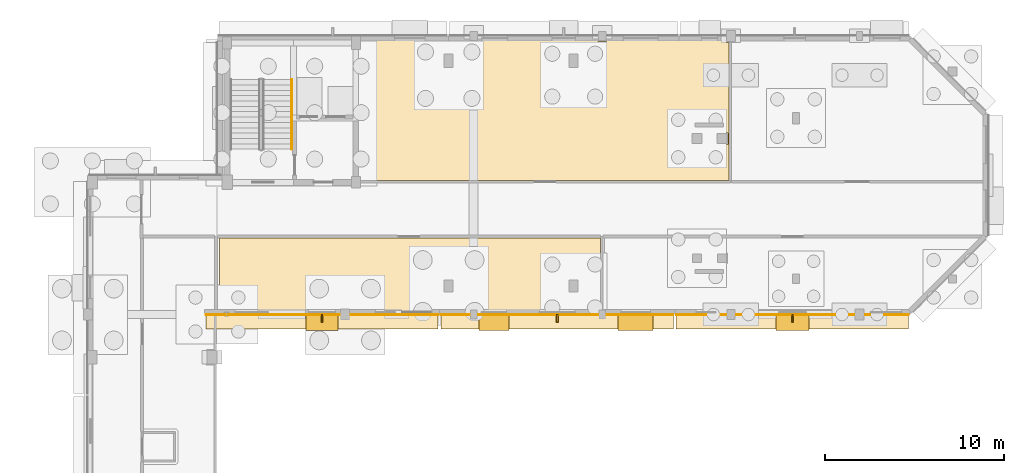
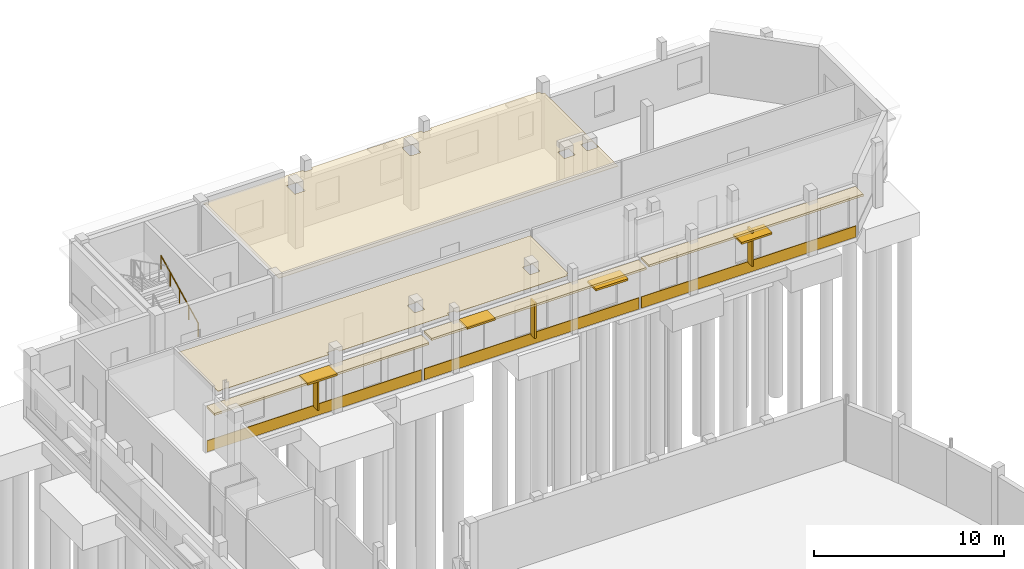
# One storey, part 91 of 93: 8 coverings, 7 shading devices, 1 railing.
"""IFC4 building model written with IfcOpenShell, lengths in metres."""

from ifc_helpers import new_model, si_unit, direction, frame, origin, origin_2d, place, context, subcontext, project, spatial, polyline, rectangle, circle, outline, extrude, material, layer, layer_set, type_object, element, save


model = new_model("IFC4")

# Units and contexts
model_context = context("Model", 3, precision=1e-05, world=origin(), true_north=direction((0.0, 1.0)))
body_context = subcontext(model_context, "Body", "Model", "MODEL_VIEW")
ifc_project = project(units=[si_unit("LENGTHUNIT", "METRE"), si_unit("AREAUNIT", "SQUARE_METRE"), si_unit("VOLUMEUNIT", "CUBIC_METRE"), si_unit("PLANEANGLEUNIT", "RADIAN"), si_unit("MASSUNIT", "GRAM", prefix="KILO")], contexts=[model_context])

# Site, building, storey
site_placement = place(None, origin())
site = spatial("IfcSite", under=ifc_project, at=site_placement, CompositionType="ELEMENT")
building_placement = place(site_placement, origin())
building = spatial("IfcBuilding", under=site, at=building_placement, Name="Kelanivale Promenade Academy", CompositionType="ELEMENT")
storey_placement = place(building_placement, origin())
storey = spatial("IfcBuildingStorey", under=building, at=storey_placement, Name="L00", CompositionType="ELEMENT", Elevation=0.0)

# Coverings
ifc_material_1 = material(Name="Warm ivory Art Deco stucco frieze band 40 mm", Category="masonry")
ifc_layer_1 = layer(ifc_material_1, 0.0400390625)
ifc_layer_set_1 = layer_set([ifc_layer_1], Name="Warm ivory Art Deco stucco frieze band 40 mm")
covering_type_1 = type_object("IfcCoveringType", Name="COV-CLD2 Warm ivory Art Deco stucco frieze ba", PredefinedType="CLADDING", material=ifc_layer_set_1)
covering_1_placement = place(storey_placement, frame((128.705078125, 96.0, 2.85498046875), z_axis=(0.0, 0.0, 1.0), x_axis=(1.0, 0.0, 0.0)))
element("IfcCovering", 1, at=covering_1_placement, inside=storey, type_object=covering_type_1, Name="Art Deco projecting 820 mm streamline sunshade eyebrow ledge", PredefinedType="CLADDING", context=body_context, shape_type="SweptSolid", body=[
    extrude(rectangle(XDim=13.010009765625, YDim=0.820068359375, at=origin_2d()), origin(), (0.0, 0.0, 1.0), 0.139892578125),
])
covering_2_placement = place(storey_placement, frame((128.705078125, 96.385009765625, 0.06005859375), z_axis=(0.0, 0.0, 1.0), x_axis=(1.0, 0.0, 0.0)))
element("IfcCovering", 2, at=covering_2_placement, inside=storey, type_object=covering_type_1, Name="Art Deco ivory stucco sill frieze band", PredefinedType="CLADDING", context=body_context, shape_type="SweptSolid", body=[
    extrude(rectangle(XDim=13.010009765625, YDim=0.0400390625, at=origin_2d()), origin(), (0.0, 0.0, 1.0), 0.719970703125),
])
covering_3_placement = place(storey_placement, frame((141.875, 96.0, 3.05517578125), z_axis=(0.0, 0.0, 1.0), x_axis=(1.0, 0.0, 0.0)))
element("IfcCovering", 3, at=covering_3_placement, inside=storey, type_object=covering_type_1, Name="Art Deco projecting 820 mm streamline sunshade eyebrow ledge", PredefinedType="CLADDING", context=body_context, shape_type="SweptSolid", body=[
    extrude(rectangle(XDim=13.010009765625, YDim=0.820068359375, at=origin_2d()), origin(), (0.0, 0.0, 1.0), 0.139892578125),
])
covering_4_placement = place(storey_placement, frame((141.875, 96.385009765625, 0.06005859375), z_axis=(0.0, 0.0, 1.0), x_axis=(1.0, 0.0, 0.0)))
element("IfcCovering", 4, at=covering_4_placement, inside=storey, type_object=covering_type_1, Name="Art Deco ivory stucco sill frieze band", PredefinedType="CLADDING", context=body_context, shape_type="SweptSolid", body=[
    extrude(rectangle(XDim=13.010009765625, YDim=0.0400390625, at=origin_2d()), origin(), (0.0, 0.0, 1.0), 0.719970703125),
])
covering_5_placement = place(storey_placement, frame((155.044921875, 96.0, 3.1552734375), z_axis=(0.0, 0.0, 1.0), x_axis=(1.0, 0.0, 0.0)))
element("IfcCovering", 5, at=covering_5_placement, inside=storey, type_object=covering_type_1, Name="Art Deco projecting 820 mm streamline sunshade eyebrow ledge", PredefinedType="CLADDING", context=body_context, shape_type="SweptSolid", body=[
    extrude(rectangle(XDim=13.010009765625, YDim=0.820068359375, at=origin_2d()), origin(), (0.0, 0.0, 1.0), 0.139892578125),
])
covering_6_placement = place(storey_placement, frame((155.044921875, 96.385009765625, 0.06005859375), z_axis=(0.0, 0.0, 1.0), x_axis=(1.0, 0.0, 0.0)))
element("IfcCovering", 6, at=covering_6_placement, inside=storey, type_object=covering_type_1, Name="Art Deco ivory stucco sill frieze band", PredefinedType="CLADDING", context=body_context, shape_type="SweptSolid", body=[
    extrude(rectangle(XDim=13.010009765625, YDim=0.0400390625, at=origin_2d()), origin(), (0.0, 0.0, 1.0), 0.719970703125),
])
ifc_material_2 = material(Name="Acoustic mineral-fibre ceiling tile 25 mm", Category="gypsum")
ifc_layer_2 = layer(ifc_material_2, 0.02490234375)
ifc_layer_set_2 = layer_set([ifc_layer_2], Name="Acoustic mineral-fibre ceiling tile 25 mm")
covering_type_2 = type_object("IfcCoveringType", Name="COV-CLG1 Acoustic mineral-fibre ceiling tile ", PredefinedType="CEILING", material=ifc_layer_set_2)
covering_7_placement = place(storey_placement, frame((0.0, 0.0, 3.550048828125)))
element("IfcCovering", 7, at=covering_7_placement, inside=storey, type_object=covering_type_2, Name="Physics Laboratory 1 acoustic suspended ceiling", PredefinedType="CEILING", context=body_context, shape_type="SweptSolid", body=[
    extrude(outline(polyline([(122.9599609375, 96.550048828125), (123.1630859375, 96.550048828125), (123.1630859375, 96.551025390625), (123.1630859375, 96.554931640625), (123.1640625, 96.55908203125), (123.166015625, 96.56201171875), (123.1669921875, 96.56591796875), (123.1689453125, 96.569091796875), (123.172119140625, 96.572021484375), (123.174072265625, 96.574951171875), (123.177001953125, 96.577880859375), (123.179931640625, 96.580078125), (123.18408203125, 96.58203125), (123.18701171875, 96.583984375), (123.19091796875, 96.5849609375), (123.195068359375, 96.5859375), (123.198974609375, 96.5869140625), (123.202880859375, 96.5869140625), (123.4970703125, 96.5869140625), (123.5009765625, 96.5869140625), (123.5048828125, 96.5859375), (123.509033203125, 96.5849609375), (123.512939453125, 96.583984375), (123.51611328125, 96.58203125), (123.52001953125, 96.580078125), (123.52294921875, 96.577880859375), (123.52587890625, 96.574951171875), (123.528076171875, 96.572021484375), (123.531005859375, 96.569091796875), (123.532958984375, 96.56591796875), (123.533935546875, 96.56201171875), (123.535888671875, 96.55908203125), (123.537109375, 96.554931640625), (123.537109375, 96.551025390625), (123.537109375, 96.550048828125), (129.68994140625, 96.550048828125), (129.68994140625, 96.719970703125), (129.68994140625, 96.72412109375), (129.69091796875, 96.72802734375), (129.69189453125, 96.73193359375), (129.693115234375, 96.735107421875), (129.695068359375, 96.739013671875), (129.697021484375, 96.741943359375), (129.698974609375, 96.7451171875), (129.701904296875, 96.748046875), (129.705078125, 96.7509765625), (129.7080078125, 96.7529296875), (129.7109375, 96.7548828125), (129.715087890625, 96.757080078125), (129.718017578125, 96.758056640625), (129.721923828125, 96.759033203125), (129.72607421875, 96.760009765625), (129.72998046875, 96.760009765625), (130.27001953125, 96.760009765625), (130.27392578125, 96.760009765625), (130.278076171875, 96.759033203125), (130.281982421875, 96.758056640625), (130.284912109375, 96.757080078125), (130.2890625, 96.7548828125), (130.2919921875, 96.7529296875), (130.294921875, 96.7509765625), (130.298095703125, 96.748046875), (130.301025390625, 96.7451171875), (130.302978515625, 96.741943359375), (130.304931640625, 96.739013671875), (130.306884765625, 96.735107421875), (130.30810546875, 96.73193359375), (130.30908203125, 96.72802734375), (130.31005859375, 96.72412109375), (130.31005859375, 96.719970703125), (130.31005859375, 96.550048828125), (136.965087890625, 96.550048828125), (136.965087890625, 96.669921875), (136.965087890625, 96.674072265625), (136.966064453125, 96.677978515625), (136.967041015625, 96.681884765625), (136.968017578125, 96.68505859375), (136.969970703125, 96.68896484375), (136.971923828125, 96.69189453125), (136.97412109375, 96.695068359375), (136.97705078125, 96.697998046875), (136.97998046875, 96.700927734375), (136.98291015625, 96.702880859375), (136.986083984375, 96.705078125), (136.989990234375, 96.70703125), (136.992919921875, 96.7080078125), (136.9970703125, 96.708984375), (137.0009765625, 96.7099609375), (137.0048828125, 96.7099609375), (137.39501953125, 96.7099609375), (137.39892578125, 96.7099609375), (137.403076171875, 96.708984375), (137.406982421875, 96.7080078125), (137.409912109375, 96.70703125), (137.4140625, 96.705078125), (137.4169921875, 96.702880859375), (137.419921875, 96.700927734375), (137.423095703125, 96.697998046875), (137.426025390625, 96.695068359375), (137.427978515625, 96.69189453125), (137.429931640625, 96.68896484375), (137.431884765625, 96.68505859375), (137.43310546875, 96.681884765625), (137.43408203125, 96.677978515625), (137.43505859375, 96.674072265625), (137.43505859375, 96.669921875), (137.43505859375, 96.550048828125), (144.1650390625, 96.550048828125), (144.1650390625, 96.669921875), (144.1650390625, 96.674072265625), (144.166015625, 96.677978515625), (144.1669921875, 96.681884765625), (144.16796875, 96.68505859375), (144.169921875, 96.68896484375), (144.172119140625, 96.69189453125), (144.174072265625, 96.695068359375), (144.177001953125, 96.697998046875), (144.179931640625, 96.700927734375), (144.18310546875, 96.702880859375), (144.18603515625, 96.705078125), (144.18994140625, 96.70703125), (144.193115234375, 96.7080078125), (144.197021484375, 96.708984375), (144.200927734375, 96.7099609375), (144.205078125, 96.7099609375), (144.2900390625, 96.7099609375), (144.2900390625, 100.68994140625), (122.9599609375, 100.68994140625), (122.9599609375, 96.550048828125)]), holes=[polyline([(143.110107421875, 97.655029296875), (143.110107421875, 97.65087890625), (143.10888671875, 97.64697265625), (143.10791015625, 97.64306640625), (143.10693359375, 97.639892578125), (143.10498046875, 97.635986328125), (143.10302734375, 97.633056640625), (143.10107421875, 97.6298828125), (143.097900390625, 97.626953125), (143.094970703125, 97.6240234375), (143.092041015625, 97.6220703125), (143.089111328125, 97.6201171875), (143.0849609375, 97.617919921875), (143.08203125, 97.616943359375), (143.077880859375, 97.615966796875), (143.073974609375, 97.614990234375), (143.070068359375, 97.614990234375), (142.530029296875, 97.614990234375), (142.52587890625, 97.614990234375), (142.52197265625, 97.615966796875), (142.51806640625, 97.616943359375), (142.514892578125, 97.617919921875), (142.510986328125, 97.6201171875), (142.508056640625, 97.6220703125), (142.5048828125, 97.6240234375), (142.501953125, 97.626953125), (142.4990234375, 97.6298828125), (142.4970703125, 97.633056640625), (142.4951171875, 97.635986328125), (142.492919921875, 97.639892578125), (142.491943359375, 97.64306640625), (142.490966796875, 97.64697265625), (142.489990234375, 97.65087890625), (142.489990234375, 97.655029296875), (142.489990234375, 98.344970703125), (142.489990234375, 98.34912109375), (142.490966796875, 98.35302734375), (142.491943359375, 98.35693359375), (142.492919921875, 98.360107421875), (142.4951171875, 98.364013671875), (142.4970703125, 98.366943359375), (142.4990234375, 98.3701171875), (142.501953125, 98.373046875), (142.5048828125, 98.3759765625), (142.508056640625, 98.3779296875), (142.510986328125, 98.3798828125), (142.514892578125, 98.382080078125), (142.51806640625, 98.383056640625), (142.52197265625, 98.384033203125), (142.52587890625, 98.385009765625), (142.530029296875, 98.385009765625), (143.070068359375, 98.385009765625), (143.073974609375, 98.385009765625), (143.077880859375, 98.384033203125), (143.08203125, 98.383056640625), (143.0849609375, 98.382080078125), (143.089111328125, 98.3798828125), (143.092041015625, 98.3779296875), (143.094970703125, 98.3759765625), (143.097900390625, 98.373046875), (143.10107421875, 98.3701171875), (143.10302734375, 98.366943359375), (143.10498046875, 98.364013671875), (143.10693359375, 98.360107421875), (143.10791015625, 98.35693359375), (143.10888671875, 98.35302734375), (143.110107421875, 98.34912109375), (143.110107421875, 98.344970703125), (143.110107421875, 97.655029296875)]), polyline([(136.110107421875, 97.655029296875), (136.110107421875, 97.65087890625), (136.10888671875, 97.64697265625), (136.10791015625, 97.64306640625), (136.10693359375, 97.639892578125), (136.10498046875, 97.635986328125), (136.10302734375, 97.633056640625), (136.10107421875, 97.6298828125), (136.097900390625, 97.626953125), (136.094970703125, 97.6240234375), (136.092041015625, 97.6220703125), (136.089111328125, 97.6201171875), (136.0849609375, 97.617919921875), (136.08203125, 97.616943359375), (136.077880859375, 97.615966796875), (136.073974609375, 97.614990234375), (136.070068359375, 97.614990234375), (135.530029296875, 97.614990234375), (135.52587890625, 97.614990234375), (135.52197265625, 97.615966796875), (135.51806640625, 97.616943359375), (135.514892578125, 97.617919921875), (135.510986328125, 97.6201171875), (135.508056640625, 97.6220703125), (135.5048828125, 97.6240234375), (135.501953125, 97.626953125), (135.4990234375, 97.6298828125), (135.4970703125, 97.633056640625), (135.4951171875, 97.635986328125), (135.492919921875, 97.639892578125), (135.491943359375, 97.64306640625), (135.490966796875, 97.64697265625), (135.489990234375, 97.65087890625), (135.489990234375, 97.655029296875), (135.489990234375, 98.344970703125), (135.489990234375, 98.34912109375), (135.490966796875, 98.35302734375), (135.491943359375, 98.35693359375), (135.492919921875, 98.360107421875), (135.4951171875, 98.364013671875), (135.4970703125, 98.366943359375), (135.4990234375, 98.3701171875), (135.501953125, 98.373046875), (135.5048828125, 98.3759765625), (135.508056640625, 98.3779296875), (135.510986328125, 98.3798828125), (135.514892578125, 98.382080078125), (135.51806640625, 98.383056640625), (135.52197265625, 98.384033203125), (135.52587890625, 98.385009765625), (135.530029296875, 98.385009765625), (136.070068359375, 98.385009765625), (136.073974609375, 98.385009765625), (136.077880859375, 98.384033203125), (136.08203125, 98.383056640625), (136.0849609375, 98.382080078125), (136.089111328125, 98.3798828125), (136.092041015625, 98.3779296875), (136.094970703125, 98.3759765625), (136.097900390625, 98.373046875), (136.10107421875, 98.3701171875), (136.10302734375, 98.366943359375), (136.10498046875, 98.364013671875), (136.10693359375, 98.360107421875), (136.10791015625, 98.35693359375), (136.10888671875, 98.35302734375), (136.110107421875, 98.34912109375), (136.110107421875, 98.344970703125), (136.110107421875, 97.655029296875)])]), origin(), (0.0, 0.0, 1.0), 0.02490234375),
])
covering_8_placement = place(storey_placement, frame((0.0, 0.0, 3.550048828125)))
element("IfcCovering", 8, at=covering_8_placement, inside=storey, type_object=covering_type_2, Name="Physics Laboratory 2 acoustic suspended ceiling", PredefinedType="CEILING", context=body_context, shape_type="SweptSolid", body=[
    extrude(outline(polyline([(130.909912109375, 103.909912109375), (151.489990234375, 103.909912109375), (151.489990234375, 111.639892578125), (151.330078125, 111.639892578125), (151.325927734375, 111.639892578125), (151.322021484375, 111.64111328125), (151.318115234375, 111.64208984375), (151.31494140625, 111.64306640625), (151.31103515625, 111.64501953125), (151.30810546875, 111.64697265625), (151.304931640625, 111.64892578125), (151.302001953125, 111.652099609375), (151.299072265625, 111.655029296875), (151.297119140625, 111.657958984375), (151.294921875, 111.660888671875), (151.29296875, 111.6650390625), (151.2919921875, 111.66796875), (151.291015625, 111.672119140625), (151.2900390625, 111.676025390625), (151.2900390625, 111.679931640625), (151.2900390625, 111.85009765625), (144.659912109375, 111.85009765625), (144.659912109375, 111.72998046875), (144.659912109375, 111.72607421875), (144.658935546875, 111.721923828125), (144.657958984375, 111.718017578125), (144.656982421875, 111.715087890625), (144.655029296875, 111.7109375), (144.653076171875, 111.7080078125), (144.65087890625, 111.705078125), (144.64794921875, 111.701904296875), (144.64501953125, 111.698974609375), (144.64208984375, 111.697021484375), (144.638916015625, 111.695068359375), (144.635009765625, 111.693115234375), (144.632080078125, 111.69189453125), (144.6279296875, 111.69091796875), (144.6240234375, 111.68994140625), (144.6201171875, 111.68994140625), (144.179931640625, 111.68994140625), (144.176025390625, 111.68994140625), (144.172119140625, 111.69091796875), (144.16796875, 111.69189453125), (144.1650390625, 111.693115234375), (144.160888671875, 111.695068359375), (144.157958984375, 111.697021484375), (144.155029296875, 111.698974609375), (144.152099609375, 111.701904296875), (144.14892578125, 111.705078125), (144.14697265625, 111.7080078125), (144.14501953125, 111.7109375), (144.14306640625, 111.715087890625), (144.14208984375, 111.718017578125), (144.14111328125, 111.721923828125), (144.139892578125, 111.72607421875), (144.139892578125, 111.72998046875), (144.139892578125, 111.85009765625), (137.4599609375, 111.85009765625), (137.4599609375, 111.72998046875), (137.4599609375, 111.72607421875), (137.458984375, 111.721923828125), (137.4580078125, 111.718017578125), (137.45703125, 111.715087890625), (137.455078125, 111.7109375), (137.452880859375, 111.7080078125), (137.450927734375, 111.705078125), (137.447998046875, 111.701904296875), (137.445068359375, 111.698974609375), (137.44189453125, 111.697021484375), (137.43896484375, 111.695068359375), (137.43505859375, 111.693115234375), (137.431884765625, 111.69189453125), (137.427978515625, 111.69091796875), (137.424072265625, 111.68994140625), (137.419921875, 111.68994140625), (136.97998046875, 111.68994140625), (136.97607421875, 111.68994140625), (136.971923828125, 111.69091796875), (136.968017578125, 111.69189453125), (136.965087890625, 111.693115234375), (136.9609375, 111.695068359375), (136.9580078125, 111.697021484375), (136.955078125, 111.698974609375), (136.951904296875, 111.701904296875), (136.948974609375, 111.705078125), (136.947021484375, 111.7080078125), (136.945068359375, 111.7109375), (136.943115234375, 111.715087890625), (136.94189453125, 111.718017578125), (136.94091796875, 111.721923828125), (136.93994140625, 111.72607421875), (136.93994140625, 111.72998046875), (136.93994140625, 111.85009765625), (130.909912109375, 111.85009765625), (130.909912109375, 103.909912109375)]), holes=[polyline([(151.43505859375, 105.955078125), (151.43505859375, 105.950927734375), (151.43408203125, 105.947021484375), (151.43310546875, 105.943115234375), (151.431884765625, 105.93994140625), (151.429931640625, 105.93603515625), (151.427978515625, 105.93310546875), (151.426025390625, 105.929931640625), (151.423095703125, 105.927001953125), (151.419921875, 105.924072265625), (151.4169921875, 105.922119140625), (151.4140625, 105.919921875), (151.409912109375, 105.91796875), (151.406982421875, 105.9169921875), (151.403076171875, 105.916015625), (151.39892578125, 105.9150390625), (151.39501953125, 105.9150390625), (150.804931640625, 105.9150390625), (150.801025390625, 105.9150390625), (150.797119140625, 105.916015625), (150.79296875, 105.9169921875), (150.7900390625, 105.91796875), (150.785888671875, 105.919921875), (150.782958984375, 105.922119140625), (150.780029296875, 105.924072265625), (150.777099609375, 105.927001953125), (150.77392578125, 105.929931640625), (150.77197265625, 105.93310546875), (150.77001953125, 105.93603515625), (150.76806640625, 105.93994140625), (150.76708984375, 105.943115234375), (150.76611328125, 105.947021484375), (150.764892578125, 105.950927734375), (150.764892578125, 105.955078125), (150.764892578125, 106.544921875), (150.764892578125, 106.549072265625), (150.76611328125, 106.552978515625), (150.76708984375, 106.556884765625), (150.76806640625, 106.56005859375), (150.77001953125, 106.56396484375), (150.77197265625, 106.56689453125), (150.77392578125, 106.570068359375), (150.777099609375, 106.572998046875), (150.780029296875, 106.575927734375), (150.782958984375, 106.577880859375), (150.785888671875, 106.580078125), (150.7900390625, 106.58203125), (150.79296875, 106.5830078125), (150.797119140625, 106.583984375), (150.801025390625, 106.5849609375), (150.804931640625, 106.5849609375), (151.39501953125, 106.5849609375), (151.39892578125, 106.5849609375), (151.403076171875, 106.583984375), (151.406982421875, 106.5830078125), (151.409912109375, 106.58203125), (151.4140625, 106.580078125), (151.4169921875, 106.577880859375), (151.419921875, 106.575927734375), (151.423095703125, 106.572998046875), (151.426025390625, 106.570068359375), (151.427978515625, 106.56689453125), (151.429931640625, 106.56396484375), (151.431884765625, 106.56005859375), (151.43310546875, 106.556884765625), (151.43408203125, 106.552978515625), (151.43505859375, 106.549072265625), (151.43505859375, 106.544921875), (151.43505859375, 105.955078125)]), polyline([(149.405029296875, 105.9150390625), (149.40087890625, 105.9150390625), (149.39697265625, 105.916015625), (149.39306640625, 105.9169921875), (149.389892578125, 105.91796875), (149.385986328125, 105.919921875), (149.383056640625, 105.922119140625), (149.3798828125, 105.924072265625), (149.376953125, 105.927001953125), (149.3740234375, 105.929931640625), (149.3720703125, 105.93310546875), (149.3701171875, 105.93603515625), (149.367919921875, 105.93994140625), (149.366943359375, 105.943115234375), (149.365966796875, 105.947021484375), (149.364990234375, 105.950927734375), (149.364990234375, 105.955078125), (149.364990234375, 106.544921875), (149.364990234375, 106.549072265625), (149.365966796875, 106.552978515625), (149.366943359375, 106.556884765625), (149.367919921875, 106.56005859375), (149.3701171875, 106.56396484375), (149.3720703125, 106.56689453125), (149.3740234375, 106.570068359375), (149.376953125, 106.572998046875), (149.3798828125, 106.575927734375), (149.383056640625, 106.577880859375), (149.385986328125, 106.580078125), (149.389892578125, 106.58203125), (149.39306640625, 106.5830078125), (149.39697265625, 106.583984375), (149.40087890625, 106.5849609375), (149.405029296875, 106.5849609375), (149.9951171875, 106.5849609375), (149.9990234375, 106.5849609375), (150.0029296875, 106.583984375), (150.007080078125, 106.5830078125), (150.010009765625, 106.58203125), (150.013916015625, 106.580078125), (150.01708984375, 106.577880859375), (150.02001953125, 106.575927734375), (150.02294921875, 106.572998046875), (150.02587890625, 106.570068359375), (150.028076171875, 106.56689453125), (150.030029296875, 106.56396484375), (150.031982421875, 106.56005859375), (150.032958984375, 106.556884765625), (150.033935546875, 106.552978515625), (150.034912109375, 106.549072265625), (150.034912109375, 106.544921875), (150.034912109375, 105.955078125), (150.034912109375, 105.950927734375), (150.033935546875, 105.947021484375), (150.032958984375, 105.943115234375), (150.031982421875, 105.93994140625), (150.030029296875, 105.93603515625), (150.028076171875, 105.93310546875), (150.02587890625, 105.929931640625), (150.02294921875, 105.927001953125), (150.02001953125, 105.924072265625), (150.01708984375, 105.922119140625), (150.013916015625, 105.919921875), (150.010009765625, 105.91796875), (150.007080078125, 105.9169921875), (150.0029296875, 105.916015625), (149.9990234375, 105.9150390625), (149.9951171875, 105.9150390625), (149.405029296875, 105.9150390625)]), polyline([(143.110107421875, 110.205078125), (143.110107421875, 110.200927734375), (143.10888671875, 110.197021484375), (143.10791015625, 110.193115234375), (143.10693359375, 110.18994140625), (143.10498046875, 110.18603515625), (143.10302734375, 110.18310546875), (143.10107421875, 110.179931640625), (143.097900390625, 110.177001953125), (143.094970703125, 110.174072265625), (143.092041015625, 110.172119140625), (143.089111328125, 110.169921875), (143.0849609375, 110.16796875), (143.08203125, 110.1669921875), (143.077880859375, 110.166015625), (143.073974609375, 110.1650390625), (143.070068359375, 110.1650390625), (142.530029296875, 110.1650390625), (142.52587890625, 110.1650390625), (142.52197265625, 110.166015625), (142.51806640625, 110.1669921875), (142.514892578125, 110.16796875), (142.510986328125, 110.169921875), (142.508056640625, 110.172119140625), (142.5048828125, 110.174072265625), (142.501953125, 110.177001953125), (142.4990234375, 110.179931640625), (142.4970703125, 110.18310546875), (142.4951171875, 110.18603515625), (142.492919921875, 110.18994140625), (142.491943359375, 110.193115234375), (142.490966796875, 110.197021484375), (142.489990234375, 110.200927734375), (142.489990234375, 110.205078125), (142.489990234375, 110.9951171875), (142.489990234375, 110.9990234375), (142.490966796875, 111.0029296875), (142.491943359375, 111.007080078125), (142.492919921875, 111.010009765625), (142.4951171875, 111.013916015625), (142.4970703125, 111.01708984375), (142.4990234375, 111.02001953125), (142.501953125, 111.02294921875), (142.5048828125, 111.02587890625), (142.508056640625, 111.028076171875), (142.510986328125, 111.030029296875), (142.514892578125, 111.031982421875), (142.51806640625, 111.032958984375), (142.52197265625, 111.033935546875), (142.52587890625, 111.034912109375), (142.530029296875, 111.034912109375), (143.070068359375, 111.034912109375), (143.073974609375, 111.034912109375), (143.077880859375, 111.033935546875), (143.08203125, 111.032958984375), (143.0849609375, 111.031982421875), (143.089111328125, 111.030029296875), (143.092041015625, 111.028076171875), (143.094970703125, 111.02587890625), (143.097900390625, 111.02294921875), (143.10107421875, 111.02001953125), (143.10302734375, 111.01708984375), (143.10498046875, 111.013916015625), (143.10693359375, 111.010009765625), (143.10791015625, 111.007080078125), (143.10888671875, 111.0029296875), (143.110107421875, 110.9990234375), (143.110107421875, 110.9951171875), (143.110107421875, 110.205078125)]), polyline([(136.110107421875, 110.205078125), (136.110107421875, 110.200927734375), (136.10888671875, 110.197021484375), (136.10791015625, 110.193115234375), (136.10693359375, 110.18994140625), (136.10498046875, 110.18603515625), (136.10302734375, 110.18310546875), (136.10107421875, 110.179931640625), (136.097900390625, 110.177001953125), (136.094970703125, 110.174072265625), (136.092041015625, 110.172119140625), (136.089111328125, 110.169921875), (136.0849609375, 110.16796875), (136.08203125, 110.1669921875), (136.077880859375, 110.166015625), (136.073974609375, 110.1650390625), (136.070068359375, 110.1650390625), (135.530029296875, 110.1650390625), (135.52587890625, 110.1650390625), (135.52197265625, 110.166015625), (135.51806640625, 110.1669921875), (135.514892578125, 110.16796875), (135.510986328125, 110.169921875), (135.508056640625, 110.172119140625), (135.5048828125, 110.174072265625), (135.501953125, 110.177001953125), (135.4990234375, 110.179931640625), (135.4970703125, 110.18310546875), (135.4951171875, 110.18603515625), (135.492919921875, 110.18994140625), (135.491943359375, 110.193115234375), (135.490966796875, 110.197021484375), (135.489990234375, 110.200927734375), (135.489990234375, 110.205078125), (135.489990234375, 110.9951171875), (135.489990234375, 110.9990234375), (135.490966796875, 111.0029296875), (135.491943359375, 111.007080078125), (135.492919921875, 111.010009765625), (135.4951171875, 111.013916015625), (135.4970703125, 111.01708984375), (135.4990234375, 111.02001953125), (135.501953125, 111.02294921875), (135.5048828125, 111.02587890625), (135.508056640625, 111.028076171875), (135.510986328125, 111.030029296875), (135.514892578125, 111.031982421875), (135.51806640625, 111.032958984375), (135.52197265625, 111.033935546875), (135.52587890625, 111.034912109375), (135.530029296875, 111.034912109375), (136.070068359375, 111.034912109375), (136.073974609375, 111.034912109375), (136.077880859375, 111.033935546875), (136.08203125, 111.032958984375), (136.0849609375, 111.031982421875), (136.089111328125, 111.030029296875), (136.092041015625, 111.028076171875), (136.094970703125, 111.02587890625), (136.097900390625, 111.02294921875), (136.10107421875, 111.02001953125), (136.10302734375, 111.01708984375), (136.10498046875, 111.013916015625), (136.10693359375, 111.010009765625), (136.10791015625, 111.007080078125), (136.10888671875, 111.0029296875), (136.110107421875, 110.9990234375), (136.110107421875, 110.9951171875), (136.110107421875, 110.205078125)])]), origin(), (0.0, 0.0, 1.0), 0.02490234375),
])

# Railing
ifc_material_3 = material(Name="Brushed stainless steel grade 316", Category="steel")
railing_type = type_object("IfcRailingType", Name="HR-01 Pitch Handrail 900mm", PredefinedType="HANDRAIL", material=ifc_material_3)
railing_placement = place(storey_placement, frame((127.014892578125, 105.655029296875, 0.14990234375)))
element("IfcRailing", 9, at=railing_placement, inside=storey, type_object=railing_type, Name="L00 ST-05 stair handrail 1", PredefinedType="HANDRAIL", context=body_context, shape_type="SweptSolid", body=[
    extrude(circle(Radius=0.02392578125, at=origin_2d()), frame((0.0, 0.0, 0.8759765625), z_axis=(0.0, 0.894404793364, 0.447258387967), x_axis=(-1.0, 0.0, 0.0)), (0.0, 0.0, 1.0), 4.3603515625),
    extrude(circle(Radius=0.02099609375, at=origin_2d()), origin(), (0.0, 0.0, 1.0), 0.851806640625),
    extrude(circle(Radius=0.02099609375, at=origin_2d()), frame((0.0, 0.97509765625, 0.487548828125)), (0.0, 0.0, 1.0), 0.851806640625),
    extrude(circle(Radius=0.02099609375, at=origin_2d()), frame((0.0, 1.949951171875, 0.97509765625)), (0.0, 0.0, 1.0), 0.851806640625),
    extrude(circle(Radius=0.02099609375, at=origin_2d()), frame((0.0, 2.9248046875, 1.462646484375)), (0.0, 0.0, 1.0), 0.851806640625),
    extrude(circle(Radius=0.02099609375, at=origin_2d()), frame((0.0, 3.89990234375, 1.9501953125)), (0.0, 0.0, 1.0), 0.851806640625),
])

# Shading devices
ifc_material_4 = material(Name="Precast concrete C40/50", Category="concrete")
ifc_layer_3 = layer(ifc_material_4, 0.1201171875)
ifc_layer_set_3 = layer_set([ifc_layer_3], Name="Precast concrete C40/50")
shading_device_type_1 = type_object("IfcShadingDeviceType", Name="SHD-01 Art Deco Sunshade Eyebrow 900mm", PredefinedType="USERDEFINED", material=ifc_layer_set_3)
shading_device_1_placement = place(storey_placement, frame((128.705078125, 95.9599609375, 2.885009765625), z_axis=(0.0, 0.0, 1.0), x_axis=(1.0, 0.0, 0.0)))
element("IfcShadingDevice", 10, at=shading_device_1_placement, inside=storey, type_object=shading_device_type_1, Name="Art Deco 900 mm precast chajja window sunshade", ObjectType="SUNSHADE", PredefinedType="USERDEFINED", context=body_context, shape_type="SweptSolid", body=[
    extrude(rectangle(XDim=1.800048828125, YDim=0.89990234375, at=origin_2d()), origin(), (0.0, 0.0, 1.0), 0.1201171875),
])
shading_device_2_placement = place(storey_placement, frame((138.3349609375, 95.9599609375, 3.0849609375), z_axis=(0.0, 0.0, 1.0), x_axis=(1.0, 0.0, 0.0)))
element("IfcShadingDevice", 11, at=shading_device_2_placement, inside=storey, type_object=shading_device_type_1, Name="Art Deco 900 mm precast chajja window sunshade", ObjectType="SUNSHADE", PredefinedType="USERDEFINED", context=body_context, shape_type="SweptSolid", body=[
    extrude(rectangle(XDim=1.699951171875, YDim=0.89990234375, at=origin_2d()), origin(), (0.0, 0.0, 1.0), 0.1201171875),
])
shading_device_3_placement = place(storey_placement, frame((146.264892578125, 95.9599609375, 2.81005859375), z_axis=(0.0, 0.0, 1.0), x_axis=(1.0, 0.0, 0.0)))
element("IfcShadingDevice", 12, at=shading_device_3_placement, inside=storey, type_object=shading_device_type_1, Name="Art Deco 900 mm precast chajja window sunshade", ObjectType="SUNSHADE", PredefinedType="USERDEFINED", context=body_context, shape_type="SweptSolid", body=[
    extrude(rectangle(XDim=1.949951171875, YDim=0.89990234375, at=origin_2d()), origin(), (0.0, 0.0, 1.0), 0.1201171875),
])
shading_device_4_placement = place(storey_placement, frame((155.044921875, 95.9599609375, 2.7099609375), z_axis=(0.0, 0.0, 1.0), x_axis=(1.0, 0.0, 0.0)))
element("IfcShadingDevice", 13, at=shading_device_4_placement, inside=storey, type_object=shading_device_type_1, Name="Art Deco 900 mm precast chajja window sunshade", ObjectType="SUNSHADE", PredefinedType="USERDEFINED", context=body_context, shape_type="SweptSolid", body=[
    extrude(rectangle(XDim=1.85009765625, YDim=0.89990234375, at=origin_2d()), origin(), (0.0, 0.0, 1.0), 0.1201171875),
])
ifc_material_5 = material(Name="Bronze anodised aluminium EN AW-6063 T6", Category="aluminium")
ifc_layer_4 = layer(ifc_material_5, 0.10009765625)
ifc_layer_set_4 = layer_set([ifc_layer_4], Name="Bronze anodised aluminium EN AW-6063 T6")
shading_device_type_2 = type_object("IfcShadingDeviceType", Name="SHD-03 Vertical Fluted Solar Fin", PredefinedType="USERDEFINED", material=ifc_layer_set_4)
for number, where, z_axis, x_axis, name in (
    (14, (128.705078125, 96.179931640625, 0.7001953125), (0.0, 0.0, 1.0), (1.0, 0.0, 0.0), "Vertical fluted Art Deco solar fin"),
    (15, (141.875, 96.179931640625, 0.7001953125), (0.0, 0.0, 1.0), (1.0, 0.0, 0.0), "Vertical fluted Art Deco solar fin"),
    (16, (155.044921875, 96.179931640625, 0.7001953125), (0.0, 0.0, 1.0), (1.0, 0.0, 0.0), "Vertical fluted Art Deco solar fin"),
):
    element("IfcShadingDevice", number, at=place(storey_placement, frame(where, z_axis=z_axis, x_axis=x_axis)), inside=storey, type_object=shading_device_type_2, Name=name, ObjectType="SOLAR FIN", PredefinedType="USERDEFINED", context=body_context, shape_type="SweptSolid", body=[
        extrude(rectangle(XDim=0.10009765625, YDim=0.449951171875, at=origin_2d()), origin(), (0.0, 0.0, 1.0), 2.300048828125),
    ])

save(model, "model.ifc")
